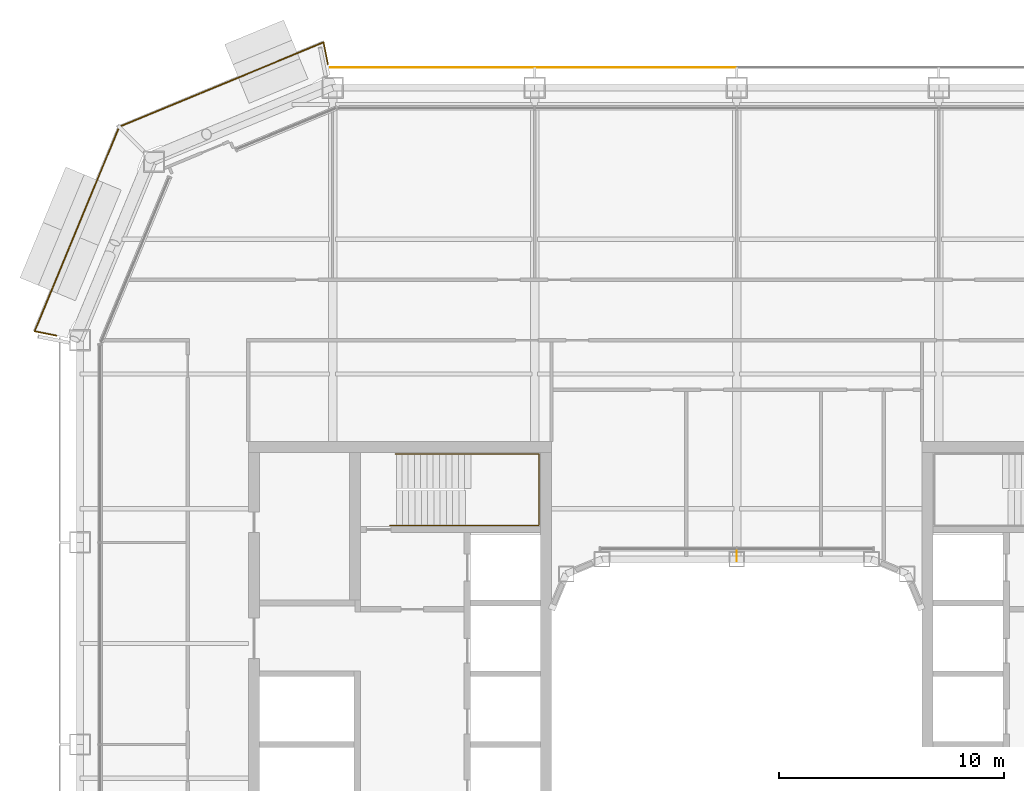
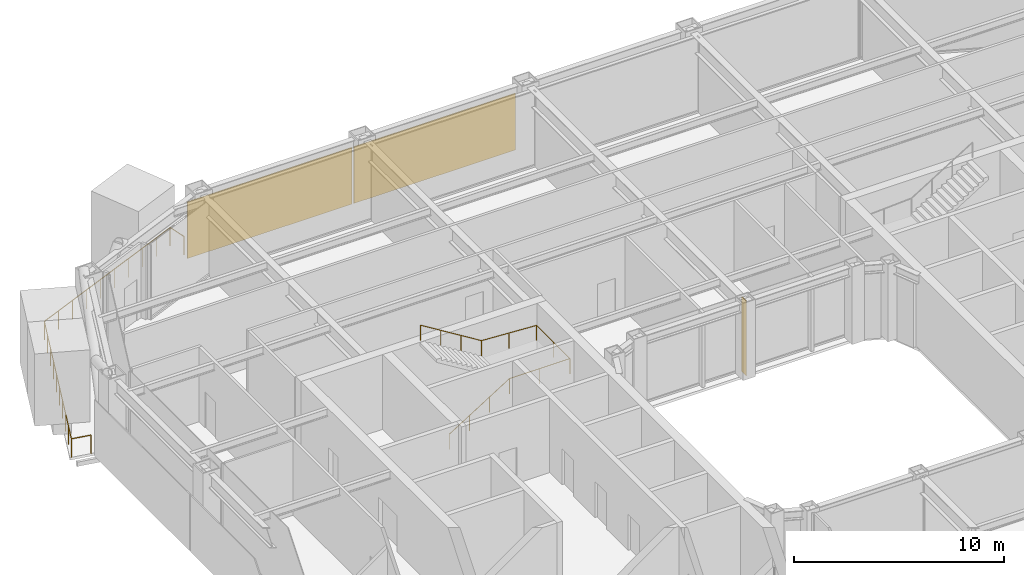
# One storey, part 21 of 23: 2 coverings, 2 railings, 1 shading device.
"""IFC4 building model written with IfcOpenShell, lengths in metres."""

from ifc_helpers import new_model, si_unit, direction, frame, origin, origin_2d, place, context, subcontext, project, spatial, rectangle, circle, extrude, material, layer, layer_set, type_object, element, save


model = new_model("IFC4")

# Units and contexts
model_context = context("Model", 3, precision=1e-05, world=origin(), true_north=direction((0.0, 1.0)))
body_context = subcontext(model_context, "Body", "Model", "MODEL_VIEW")
ifc_project = project(units=[si_unit("LENGTHUNIT", "METRE"), si_unit("AREAUNIT", "SQUARE_METRE"), si_unit("VOLUMEUNIT", "CUBIC_METRE"), si_unit("PLANEANGLEUNIT", "RADIAN"), si_unit("MASSUNIT", "GRAM", prefix="KILO")], contexts=[model_context])

# Site, building, storey
site_placement = place(None, origin())
site = spatial("IfcSite", under=ifc_project, at=site_placement, CompositionType="ELEMENT")
building_placement = place(site_placement, origin())
building = spatial("IfcBuilding", under=site, at=building_placement, Name="Siwar Civic Tower", CompositionType="ELEMENT")
storey_placement = place(building_placement, frame((0.0, 0.0, 118.199951171875)))
storey = spatial("IfcBuildingStorey", under=building, at=storey_placement, Name="L25", CompositionType="ELEMENT", Elevation=118.199951171875)

# Railing
ifc_material_1 = material(Name="Stainless steel", Category="steel")
railing_type_1 = type_object("IfcRailingType", Name="CORE-STAIR-HANDRAIL", PredefinedType="HANDRAIL", material=ifc_material_1)
railing_1_placement = place(storey_placement, frame((-15.449951171875, 9.758056640625, 0.173095703125)))
element("IfcRailing", 1, at=railing_1_placement, inside=storey, type_object=railing_type_1, Name="Stair handrail ST1", PredefinedType="HANDRAIL", context=body_context, shape_type="SweptSolid", body=[
    extrude(circle(Radius=0.02001953125, at=origin_2d()), frame((0.0, 0.0, 0.8798828125), z_axis=(0.847063342986, 0.0, 0.531491950051), x_axis=(0.0, 1.0, 0.0)), (0.0, 0.0, 1.0), 3.90771484375),
    extrude(circle(Radius=0.02001953125, at=origin_2d()), frame((3.31005859375, 0.0, 2.956787109375), z_axis=(1.0, 0.0, 0.0), x_axis=(0.0, 1.0, 0.0)), (0.0, 0.0, 1.0), 3.331787109375),
    extrude(circle(Radius=0.02001953125, at=origin_2d()), frame((6.641845703125, 0.0, 2.956787109375), z_axis=(0.0, 1.0, 0.0), x_axis=(-1.0, 0.0, 0.0)), (0.0, 0.0, 1.0), 3.183837890625),
    extrude(circle(Radius=0.02001953125, at=origin_2d()), frame((6.641845703125, 3.183837890625, 2.956787109375), z_axis=(-0.99837434197, 0.0, 0.056997134106), x_axis=(0.0, -1.0, 0.0)), (0.0, 0.0, 1.0), 3.036865234375),
    extrude(circle(Radius=0.02001953125, at=origin_2d()), frame((3.60986328125, 3.183837890625, 3.1298828125), z_axis=(-0.850606129759, 0.0, 0.525803396734), x_axis=(0.0, -1.0, 0.0)), (0.0, 0.0, 1.0), 3.949951171875),
    extrude(circle(Radius=0.02001953125, at=origin_2d()), origin(), (0.0, 0.0, 1.0), 0.85986328125),
    extrude(circle(Radius=0.02001953125, at=origin_2d()), frame((1.103271484375, 0.0, 0.6923828125)), (0.0, 0.0, 1.0), 0.85986328125),
    extrude(circle(Radius=0.02001953125, at=origin_2d()), frame((2.206787109375, 0.0, 1.384521484375)), (0.0, 0.0, 1.0), 0.85986328125),
    extrude(circle(Radius=0.02001953125, at=origin_2d()), frame((3.31005859375, 0.0, 2.076904296875)), (0.0, 0.0, 1.0), 0.85986328125),
    extrude(circle(Radius=0.02001953125, at=origin_2d()), frame((4.97607421875, 0.0, 2.076904296875)), (0.0, 0.0, 1.0), 0.85986328125),
    extrude(circle(Radius=0.02001953125, at=origin_2d()), frame((6.641845703125, 0.0, 2.076904296875)), (0.0, 0.0, 1.0), 0.85986328125),
    extrude(circle(Radius=0.02001953125, at=origin_2d()), frame((6.641845703125, 1.591796875, 2.076904296875)), (0.0, 0.0, 1.0), 0.85986328125),
    extrude(circle(Radius=0.02001953125, at=origin_2d()), frame((6.641845703125, 3.183837890625, 2.076904296875)), (0.0, 0.0, 1.0), 0.85986328125),
    extrude(circle(Radius=0.02001953125, at=origin_2d()), frame((5.1259765625, 3.183837890625, 2.16357421875)), (0.0, 0.0, 1.0), 0.85986328125),
    extrude(circle(Radius=0.02001953125, at=origin_2d()), frame((3.60986328125, 3.183837890625, 2.25)), (0.0, 0.0, 1.0), 0.85986328125),
    extrude(circle(Radius=0.02001953125, at=origin_2d()), frame((2.489990234375, 3.183837890625, 2.9423828125)), (0.0, 0.0, 1.0), 0.85986328125),
    extrude(circle(Radius=0.02001953125, at=origin_2d()), frame((1.369873046875, 3.183837890625, 3.634521484375)), (0.0, 0.0, 1.0), 0.85986328125),
    extrude(circle(Radius=0.02001953125, at=origin_2d()), frame((0.25, 3.183837890625, 4.326904296875)), (0.0, 0.0, 1.0), 0.85986328125),
])

# Shading device
ifc_material_2 = material(Name="Aluminium 6063-T6", Category="aluminium")
ifc_layer_1 = layer(ifc_material_2, 0.02001953125)
ifc_layer_set_1 = layer_set([ifc_layer_1], Name="Aluminium 6063-T6")
shading_device_type = type_object("IfcShadingDeviceType", Name="ENV-FIN", PredefinedType="JALOUSIE", material=ifc_layer_set_1)
shading_device_placement = place(storey_placement, frame((0.0, 8.39501953125, 0.0), z_axis=(0.0, 0.0, 1.0), x_axis=(-1.0, 0.0, 0.0)))
element("IfcShadingDevice", 2, at=shading_device_placement, inside=storey, type_object=shading_device_type, Name="SUNSHADE fin WN 1", PredefinedType="JALOUSIE", context=body_context, shape_type="SweptSolid", body=[
    extrude(rectangle(XDim=0.02001953125, YDim=0.449951171875, at=origin_2d()), origin(), (0.0, 0.0, 1.0), 4.35009765625),
])

# Railing
ifc_material_3 = material(Name="Stainless steel 316", Category="steel")
railing_type_2 = type_object("IfcRailingType", Name="ENV-GUARD", PredefinedType="GUARDRAIL", material=ifc_material_3)
railing_2_placement = place(storey_placement, frame((-18.208251953125, 30.297119140625, 0.0)))
element("IfcRailing", 3, at=railing_2_placement, inside=storey, type_object=railing_type_2, Name="Balcony guard NW", PredefinedType="GUARDRAIL", context=body_context, shape_type="SweptSolid", body=[
    extrude(circle(Radius=0.02392578125, at=origin_2d()), frame((0.0, 0.0, 1.076171875), z_axis=(-0.195123592472, 0.980778661911, 0.0), x_axis=(-0.980778661911, -0.195123592472, 0.0)), (0.0, 0.0, 1.0), 0.993408203125),
    extrude(circle(Radius=0.02392578125, at=origin_2d()), frame((-0.19384765625, 0.974365234375, 1.076171875), z_axis=(-0.924056377406, -0.38225621169, 0.0), x_axis=(0.38225621169, -0.924056377406, 0.0)), (0.0, 0.0, 1.0), 9.851806640625),
    extrude(circle(Radius=0.02392578125, at=origin_2d()), frame((-9.29736328125, -2.79150390625, 1.076171875), z_axis=(-0.38225621169, -0.924056377406, 0.0), x_axis=(0.924056377406, -0.38225621169, 0.0)), (0.0, 0.0, 1.0), 9.851806640625),
    extrude(circle(Radius=0.02392578125, at=origin_2d()), frame((-13.063232421875, -11.89501953125, 1.076171875), z_axis=(0.980778661911, -0.195123592472, 0.0), x_axis=(0.195123592472, 0.980778661911, 0.0)), (0.0, 0.0, 1.0), 0.993408203125),
    extrude(circle(Radius=0.02099609375, at=origin_2d()), origin(), (0.0, 0.0, 1.0), 1.052001953125),
    extrude(circle(Radius=0.02099609375, at=origin_2d()), frame((-0.19384765625, 0.974365234375, 0.0)), (0.0, 0.0, 1.0), 1.052001953125),
    extrude(circle(Radius=0.02099609375, at=origin_2d()), frame((-1.205322265625, 0.555908203125, 0.0)), (0.0, 0.0, 1.0), 1.052001953125),
    extrude(circle(Radius=0.02099609375, at=origin_2d()), frame((-2.216796875, 0.137451171875, 0.0)), (0.0, 0.0, 1.0), 1.052001953125),
    extrude(circle(Radius=0.02099609375, at=origin_2d()), frame((-3.228271484375, -0.281005859375, 0.0)), (0.0, 0.0, 1.0), 1.052001953125),
    extrude(circle(Radius=0.02099609375, at=origin_2d()), frame((-4.23974609375, -0.699462890625, 0.0)), (0.0, 0.0, 1.0), 1.052001953125),
    extrude(circle(Radius=0.02099609375, at=origin_2d()), frame((-5.25146484375, -1.11767578125, 0.0)), (0.0, 0.0, 1.0), 1.052001953125),
    extrude(circle(Radius=0.02099609375, at=origin_2d()), frame((-6.262939453125, -1.5361328125, 0.0)), (0.0, 0.0, 1.0), 1.052001953125),
    extrude(circle(Radius=0.02099609375, at=origin_2d()), frame((-7.2744140625, -1.95458984375, 0.0)), (0.0, 0.0, 1.0), 1.052001953125),
    extrude(circle(Radius=0.02099609375, at=origin_2d()), frame((-8.285888671875, -2.373046875, 0.0)), (0.0, 0.0, 1.0), 1.052001953125),
    extrude(circle(Radius=0.02099609375, at=origin_2d()), frame((-9.29736328125, -2.79150390625, 0.0)), (0.0, 0.0, 1.0), 1.052001953125),
    extrude(circle(Radius=0.02099609375, at=origin_2d()), frame((-9.7158203125, -3.802978515625, 0.0)), (0.0, 0.0, 1.0), 1.052001953125),
    extrude(circle(Radius=0.02099609375, at=origin_2d()), frame((-10.13427734375, -4.814453125, 0.0)), (0.0, 0.0, 1.0), 1.052001953125),
    extrude(circle(Radius=0.02099609375, at=origin_2d()), frame((-10.552734375, -5.825927734375, 0.0)), (0.0, 0.0, 1.0), 1.052001953125),
    extrude(circle(Radius=0.02099609375, at=origin_2d()), frame((-10.97119140625, -6.83740234375, 0.0)), (0.0, 0.0, 1.0), 1.052001953125),
    extrude(circle(Radius=0.02099609375, at=origin_2d()), frame((-11.389404296875, -7.84912109375, 0.0)), (0.0, 0.0, 1.0), 1.052001953125),
    extrude(circle(Radius=0.02099609375, at=origin_2d()), frame((-11.807861328125, -8.860595703125, 0.0)), (0.0, 0.0, 1.0), 1.052001953125),
    extrude(circle(Radius=0.02099609375, at=origin_2d()), frame((-12.226318359375, -9.8720703125, 0.0)), (0.0, 0.0, 1.0), 1.052001953125),
    extrude(circle(Radius=0.02099609375, at=origin_2d()), frame((-12.644775390625, -10.883544921875, 0.0)), (0.0, 0.0, 1.0), 1.052001953125),
    extrude(circle(Radius=0.02099609375, at=origin_2d()), frame((-13.063232421875, -11.89501953125, 0.0)), (0.0, 0.0, 1.0), 1.052001953125),
    extrude(circle(Radius=0.02099609375, at=origin_2d()), frame((-12.0888671875, -12.0888671875, 0.0)), (0.0, 0.0, 1.0), 1.052001953125),
])

# Coverings
ifc_material_4 = material(Name="Perforated aluminium cassette, pale metal", Category="aluminium")
ifc_layer_2 = layer(ifc_material_4, 0.0400390625)
ifc_layer_set_2 = layer_set([ifc_layer_2], Name="Perforated aluminium cassette, pale metal")
covering_type = type_object("IfcCoveringType", Name="ENV-OUTER SKIN OS-1", PredefinedType="CLADDING", material=ifc_layer_set_2)
covering_1_placement = place(storey_placement, frame((-4.5, 30.14990234375, -0.14990234375), z_axis=(0.0, 0.0, 1.0), x_axis=(-1.0, 0.0, 0.0)))
element("IfcCovering", 4, at=covering_1_placement, inside=storey, type_object=covering_type, Name="OUTER SKIN OS-1 N 3", PredefinedType="CLADDING", context=body_context, shape_type="SweptSolid", body=[
    extrude(rectangle(XDim=8.89990234375, YDim=0.0400390625, at=origin_2d()), origin(), (0.0, 0.0, 1.0), 3.300048828125),
])
covering_2_placement = place(storey_placement, frame((-13.57958984375, 30.14990234375, -0.14990234375), z_axis=(0.0, 0.0, 1.0), x_axis=(-1.0, 0.0, 0.0)))
element("IfcCovering", 5, at=covering_2_placement, inside=storey, type_object=covering_type, Name="OUTER SKIN OS-1 N 4", PredefinedType="CLADDING", context=body_context, shape_type="SweptSolid", body=[
    extrude(rectangle(XDim=9.05908203125, YDim=0.0400390625, at=origin_2d()), origin(), (0.0, 0.0, 1.0), 3.300048828125),
])

save(model, "model.ifc")
